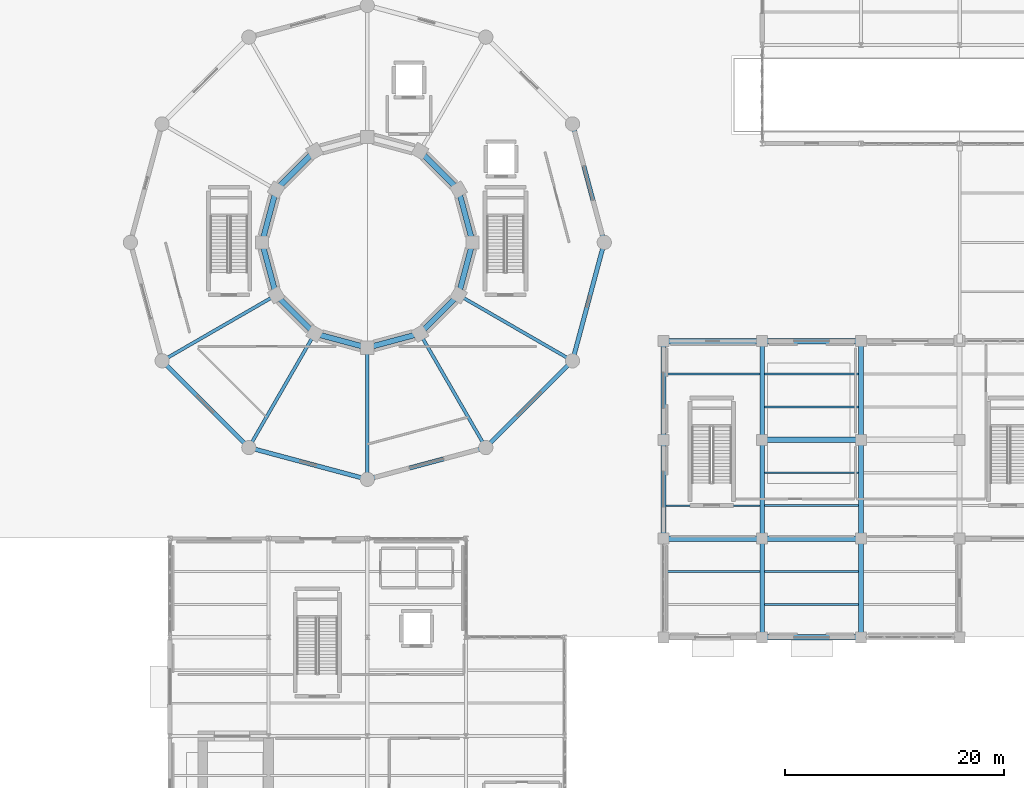
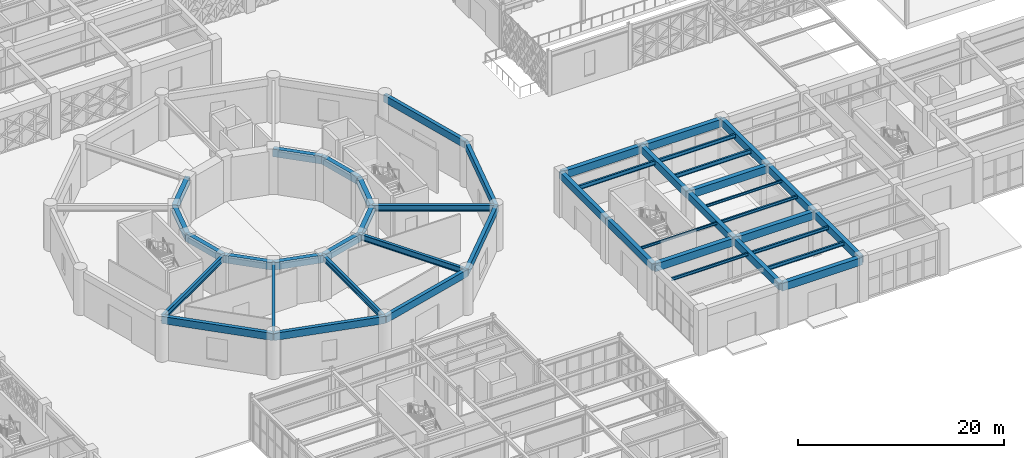
# One storey, part 36 of 140: 44 beams.
"""IFC4 building model written with IfcOpenShell, lengths in metres."""

from ifc_helpers import new_model, si_unit, direction, frame, origin, origin_2d, place, context, subcontext, project, spatial, rectangle, i_section, extrude, material, material_profile, profile_set, type_object, element, save


model = new_model("IFC4")

# Units and contexts
model_context = context("Model", 3, precision=1e-05, world=origin(), true_north=direction((0.0, 1.0)))
body_context = subcontext(model_context, "Body", "Model", "MODEL_VIEW")
ifc_project = project(units=[si_unit("LENGTHUNIT", "METRE"), si_unit("AREAUNIT", "SQUARE_METRE"), si_unit("VOLUMEUNIT", "CUBIC_METRE"), si_unit("PLANEANGLEUNIT", "RADIAN"), si_unit("MASSUNIT", "GRAM", prefix="KILO")], contexts=[model_context])

# Site, building, storey
site_placement = place(None, origin())
site = spatial("IfcSite", under=ifc_project, at=site_placement, CompositionType="ELEMENT")
building_placement = place(site_placement, origin())
building = spatial("IfcBuilding", under=site, at=building_placement, Name="Haizhuo Lancet Aquarium", CompositionType="ELEMENT")
storey_placement = place(building_placement, origin())
storey = spatial("IfcBuildingStorey", under=building, at=storey_placement, Name="L00", CompositionType="ELEMENT", Elevation=0.0)

# Beams
ifc_material_1 = material(Name="Concrete C40/50", Category="concrete")
ifc_material_profile_1 = material_profile(ifc_material_1, rectangle(XDim=0.449951171875, YDim=0.85009765625, at=origin_2d()), Name="RC-BM 450x850")
ifc_profile_set_1 = profile_set([ifc_material_profile_1], Name="Concrete C40/50")
beam_type_1 = type_object("IfcBeamType", Name="BM-RC-450x850", PredefinedType="BEAM", material=ifc_profile_set_1)
for number, where, z_axis, x_axis, name in (
    (1, (27.0, -27.0, 4.695068359375), (0.0, 1.0, 0.0), (-1.0, 0.0, 0.0), "L00 V3 primary girder BM-L00-V3-003"),
    (2, (27.0, -18.0, 4.695068359375), (0.0, 1.0, 0.0), (-1.0, 0.0, 0.0), "L00 V3 primary girder BM-L00-V3-005"),
    (3, (36.0, -36.0, 4.695068359375), (0.0, 1.0, 0.0), (-1.0, 0.0, 0.0), "L00 V3 primary girder BM-L00-V3-007"),
    (4, (36.0, -27.0, 4.695068359375), (0.0, 1.0, 0.0), (-1.0, 0.0, 0.0), "L00 V3 primary girder BM-L00-V3-009"),
    (5, (36.0, -18.0, 4.695068359375), (0.0, 1.0, 0.0), (-1.0, 0.0, 0.0), "L00 V3 primary girder BM-L00-V3-011"),
    (6, (45.0, -36.0, 4.695068359375), (0.0, 1.0, 0.0), (-1.0, 0.0, 0.0), "L00 V3 primary girder BM-L00-V3-014"),
    (7, (45.0, -27.0, 4.695068359375), (0.0, 1.0, 0.0), (-1.0, 0.0, 0.0), "L00 V3 primary girder BM-L00-V3-016"),
    (8, (45.0, -18.0, 4.695068359375), (0.0, 1.0, 0.0), (-1.0, 0.0, 0.0), "L00 V3 primary girder BM-L00-V3-018"),
):
    element("IfcBeam", number, at=place(storey_placement, frame(where, z_axis=z_axis, x_axis=x_axis)), inside=storey, type_object=beam_type_1, Name=name, PredefinedType="BEAM", context=body_context, shape_type="SweptSolid", body=[
        extrude(rectangle(XDim=0.449951171875, YDim=0.85009765625, at=origin_2d()), origin(), (0.0, 0.0, 1.0), 9.0),
    ])
ifc_material_profile_2 = material_profile(ifc_material_1, rectangle(XDim=0.5, YDim=0.89990234375, at=origin_2d()), Name="RC-BM 500x900")
ifc_profile_set_2 = profile_set([ifc_material_profile_2], Name="Concrete C40/50")
beam_type_2 = type_object("IfcBeamType", Name="BM-RC-500x900", PredefinedType="BEAM", material=ifc_profile_set_2)
for number, where, z_axis, x_axis, name in (
    (9, (9.60009765625, 0.0, 4.669921875), (-0.258812211902, 0.965927657214, 0.0), (-0.965927657214, -0.258812211902, 0.0), "L00 tank ring beam 1"),
    (10, (8.31396484375, 4.800048828125, 4.669921875), (-0.707106781187, 0.707106781187, 0.0), (-0.707106781187, -0.707106781187, 0.0), "L00 tank ring beam 2"),
    (11, (-4.800048828125, 8.31396484375, 4.669921875), (-0.707106781187, -0.707106781187, 0.0), (0.707106781187, -0.707106781187, 0.0), "L00 tank ring beam 5"),
    (12, (-8.31396484375, 4.800048828125, 4.669921875), (-0.258812211902, -0.965927657214, 0.0), (0.965927657214, -0.258812211902, 0.0), "L00 tank ring beam 6"),
    (13, (-9.60009765625, 0.0, 4.669921875), (0.258812211902, -0.965927657214, 0.0), (0.965927657214, 0.258812211902, 0.0), "L00 tank ring beam 7"),
    (14, (-8.31396484375, -4.800048828125, 4.669921875), (0.707106781187, -0.707106781187, 0.0), (0.707106781187, 0.707106781187, 0.0), "L00 tank ring beam 8"),
    (15, (-4.800048828125, -8.31396484375, 4.669921875), (0.965927657214, -0.258812211902, 0.0), (0.258812211902, 0.965927657214, 0.0), "L00 tank ring beam 9"),
    (16, (0.0, -9.60009765625, 4.669921875), (0.965927657214, 0.258812211902, 0.0), (-0.258812211902, 0.965927657214, 0.0), "L00 tank ring beam 10"),
    (17, (4.800048828125, -8.31396484375, 4.669921875), (0.707106781187, 0.707106781187, 0.0), (-0.707106781187, 0.707106781187, 0.0), "L00 tank ring beam 11"),
    (18, (8.31396484375, -4.800048828125, 4.669921875), (0.258812211902, 0.965927657214, 0.0), (-0.965927657214, 0.258812211902, 0.0), "L00 tank ring beam 12"),
):
    element("IfcBeam", number, at=place(storey_placement, frame(where, z_axis=z_axis, x_axis=x_axis)), inside=storey, type_object=beam_type_2, Name=name, PredefinedType="BEAM", context=body_context, shape_type="SweptSolid", body=[
        extrude(rectangle(XDim=0.5, YDim=0.89990234375, at=origin_2d()), origin(), (0.0, 0.0, 1.0), 4.969482421875),
    ])
for number, where, z_axis, x_axis, name in (
    (19, (27.0, -27.0, 4.669921875), (1.0, 0.0, 0.0), (0.0, 1.0, 0.0), "L00 V3 primary girder BM-L00-V3-004"),
    (20, (27.0, -9.0, 4.669921875), (1.0, 0.0, 0.0), (0.0, 1.0, 0.0), "L00 V3 primary girder BM-L00-V3-006"),
    (21, (36.0, -36.0, 4.669921875), (1.0, 0.0, 0.0), (0.0, 1.0, 0.0), "L00 V3 primary girder BM-L00-V3-008"),
    (22, (36.0, -27.0, 4.669921875), (1.0, 0.0, 0.0), (0.0, 1.0, 0.0), "L00 V3 primary girder BM-L00-V3-010"),
    (23, (36.0, -18.0, 4.669921875), (1.0, 0.0, 0.0), (0.0, 1.0, 0.0), "L00 V3 primary girder BM-L00-V3-012"),
    (24, (36.0, -9.0, 4.669921875), (1.0, 0.0, 0.0), (0.0, 1.0, 0.0), "L00 V3 primary girder BM-L00-V3-013"),
):
    element("IfcBeam", number, at=place(storey_placement, frame(where, z_axis=z_axis, x_axis=x_axis)), inside=storey, type_object=beam_type_2, Name=name, PredefinedType="BEAM", context=body_context, shape_type="SweptSolid", body=[
        extrude(rectangle(XDim=0.5, YDim=0.89990234375, at=origin_2d()), origin(), (0.0, 0.0, 1.0), 9.0),
    ])
ifc_material_2 = material(Name="Steel S355", Category="steel")
ifc_material_profile_3 = material_profile(ifc_material_2, i_section(OverallWidth=0.300048828125, OverallDepth=0.699951171875, WebThickness=0.012939453125, FlangeThickness=0.02392578125, FilletRadius=0.02587890625, at=origin_2d()), Name="HN 700x300x13x24")
ifc_profile_set_3 = profile_set([ifc_material_profile_3], Name="Steel S355")
beam_type_3 = type_object("IfcBeamType", Name="BM-ST-HN700", PredefinedType="BEAM", material=ifc_profile_set_3)
for number, where, z_axis, x_axis, name in (
    (25, (-8.31396484375, -4.800048828125, 4.77001953125), (-0.866020924479, -0.500007758305, 0.0), (0.500007758305, -0.866020924479, 0.0), "L00 radial gallery girder 8"),
    (26, (-4.800048828125, -8.31396484375, 4.77001953125), (-0.500007758305, -0.866020924479, 0.0), (0.866020924479, -0.500007758305, 0.0), "L00 radial gallery girder 9"),
):
    element("IfcBeam", number, at=place(storey_placement, frame(where, z_axis=z_axis, x_axis=x_axis)), inside=storey, type_object=beam_type_3, Name=name, PredefinedType="BEAM", context=body_context, shape_type="SweptSolid", body=[
        extrude(i_section(OverallWidth=0.300048828125, OverallDepth=0.699951171875, WebThickness=0.012939453125, FlangeThickness=0.02392578125, FilletRadius=0.02587890625, at=origin_2d()), origin(), (0.0, 0.0, 1.0), 11.999755859375),
    ])
beam_1_placement = place(storey_placement, frame((0.0, -9.60009765625, 4.77001953125), z_axis=(0.0, -1.0, 0.0), x_axis=(1.0, 0.0, 0.0)))
element("IfcBeam", 27, at=beam_1_placement, inside=storey, type_object=beam_type_3, Name="L00 radial gallery girder 10", PredefinedType="BEAM", context=body_context, shape_type="SweptSolid", body=[
    extrude(i_section(OverallWidth=0.300048828125, OverallDepth=0.699951171875, WebThickness=0.012939453125, FlangeThickness=0.02392578125, FilletRadius=0.02587890625, at=origin_2d()), origin(), (0.0, 0.0, 1.0), 12.0),
])
for number, where, z_axis, x_axis, name in (
    (28, (4.800048828125, -8.31396484375, 4.77001953125), (0.500007758305, -0.866020924479, 0.0), (0.866020924479, 0.500007758305, 0.0), "L00 radial gallery girder 11"),
    (29, (8.31396484375, -4.800048828125, 4.77001953125), (0.866020924479, -0.500007758305, 0.0), (0.500007758305, 0.866020924479, 0.0), "L00 radial gallery girder 12"),
):
    element("IfcBeam", number, at=place(storey_placement, frame(where, z_axis=z_axis, x_axis=x_axis)), inside=storey, type_object=beam_type_3, Name=name, PredefinedType="BEAM", context=body_context, shape_type="SweptSolid", body=[
        extrude(i_section(OverallWidth=0.300048828125, OverallDepth=0.699951171875, WebThickness=0.012939453125, FlangeThickness=0.02392578125, FilletRadius=0.02587890625, at=origin_2d()), origin(), (0.0, 0.0, 1.0), 11.999755859375),
    ])
ifc_material_profile_4 = material_profile(ifc_material_2, i_section(OverallWidth=0.14990234375, OverallDepth=0.300048828125, WebThickness=0.006591796875, FlangeThickness=0.009033203125, FilletRadius=0.012939453125, at=origin_2d()), Name="HN 300x150x6.5x9")
ifc_profile_set_4 = profile_set([ifc_material_profile_4], Name="Steel S355")
beam_type_4 = type_object("IfcBeamType", Name="JST-ST-HN300", PredefinedType="JOIST", material=ifc_profile_set_4)
for number, where, z_axis, x_axis, name in (
    (30, (27.22509765625, -24.0, 4.969970703125), (1.0, 0.0, 0.0), (0.0, 1.0, 0.0), "L00 V3 secondary floor joist 3"),
    (31, (36.22509765625, -21.0, 4.969970703125), (1.0, 0.0, 0.0), (0.0, 1.0, 0.0), "L00 V3 secondary floor joist 8"),
):
    element("IfcBeam", number, at=place(storey_placement, frame(where, z_axis=z_axis, x_axis=x_axis)), inside=storey, type_object=beam_type_4, Name=name, PredefinedType="JOIST", context=body_context, shape_type="SweptSolid", body=[
        extrude(i_section(OverallWidth=0.14990234375, OverallDepth=0.300048828125, WebThickness=0.006591796875, FlangeThickness=0.009033203125, FilletRadius=0.012939453125, at=origin_2d()), origin(), (0.0, 0.0, 1.0), 8.5498046875),
    ])
ifc_material_profile_5 = material_profile(ifc_material_2, i_section(OverallWidth=0.175048828125, OverallDepth=0.35009765625, WebThickness=0.007080078125, FlangeThickness=0.010986328125, FilletRadius=0.013916015625, at=origin_2d()), Name="HN 350x175x7x11")
ifc_profile_set_5 = profile_set([ifc_material_profile_5], Name="Steel S355")
beam_type_5 = type_object("IfcBeamType", Name="JST-ST-HN350", PredefinedType="JOIST", material=ifc_profile_set_5)
for number, where, z_axis, x_axis, name in (
    (32, (27.22509765625, -30.0, 4.945068359375), (1.0, 0.0, 0.0), (0.0, 1.0, 0.0), "L00 V3 secondary floor joist 2"),
    (33, (36.22509765625, -24.0, 4.945068359375), (1.0, 0.0, 0.0), (0.0, 1.0, 0.0), "L00 V3 secondary floor joist 7"),
):
    element("IfcBeam", number, at=place(storey_placement, frame(where, z_axis=z_axis, x_axis=x_axis)), inside=storey, type_object=beam_type_5, Name=name, PredefinedType="JOIST", context=body_context, shape_type="SweptSolid", body=[
        extrude(i_section(OverallWidth=0.175048828125, OverallDepth=0.35009765625, WebThickness=0.007080078125, FlangeThickness=0.010986328125, FilletRadius=0.013916015625, at=origin_2d()), origin(), (0.0, 0.0, 1.0), 8.5498046875),
    ])
ifc_material_profile_6 = material_profile(ifc_material_2, i_section(OverallWidth=0.199951171875, OverallDepth=0.39990234375, WebThickness=0.008056640625, FlangeThickness=0.012939453125, FilletRadius=0.01611328125, at=origin_2d()), Name="HN 400x200x8x13")
ifc_profile_set_6 = profile_set([ifc_material_profile_6], Name="Steel S355")
beam_type_6 = type_object("IfcBeamType", Name="JST-ST-HN400", PredefinedType="JOIST", material=ifc_profile_set_6)
beam_2_placement = place(storey_placement, frame((36.22509765625, -30.0, 4.919921875), z_axis=(1.0, 0.0, 0.0), x_axis=(0.0, 1.0, 0.0)))
element("IfcBeam", 34, at=beam_2_placement, inside=storey, type_object=beam_type_6, Name="L00 V3 secondary floor joist 6", PredefinedType="JOIST", context=body_context, shape_type="SweptSolid", body=[
    extrude(i_section(OverallWidth=0.199951171875, OverallDepth=0.39990234375, WebThickness=0.008056640625, FlangeThickness=0.012939453125, FilletRadius=0.01611328125, at=origin_2d()), origin(), (0.0, 0.0, 1.0), 8.5498046875),
])
ifc_material_profile_7 = material_profile(ifc_material_2, i_section(OverallWidth=0.199951171875, OverallDepth=0.449951171875, WebThickness=0.009033203125, FlangeThickness=0.013916015625, FilletRadius=0.01806640625, at=origin_2d()), Name="HN 450x200x9x14")
ifc_profile_set_7 = profile_set([ifc_material_profile_7], Name="Steel S355")
beam_type_7 = type_object("IfcBeamType", Name="JST-ST-HN450", PredefinedType="JOIST", material=ifc_profile_set_7)
for number, where, z_axis, x_axis, name in (
    (35, (36.22509765625, -33.0, 4.89501953125), (1.0, 0.0, 0.0), (0.0, 1.0, 0.0), "L00 V3 secondary floor joist 5"),
    (36, (36.22509765625, -12.0, 4.89501953125), (1.0, 0.0, 0.0), (0.0, 1.0, 0.0), "L00 V3 secondary floor joist 10"),
):
    element("IfcBeam", number, at=place(storey_placement, frame(where, z_axis=z_axis, x_axis=x_axis)), inside=storey, type_object=beam_type_7, Name=name, PredefinedType="JOIST", context=body_context, shape_type="SweptSolid", body=[
        extrude(i_section(OverallWidth=0.199951171875, OverallDepth=0.449951171875, WebThickness=0.009033203125, FlangeThickness=0.013916015625, FilletRadius=0.01806640625, at=origin_2d()), origin(), (0.0, 0.0, 1.0), 8.5498046875),
    ])
ifc_material_profile_8 = material_profile(ifc_material_2, i_section(OverallWidth=0.199951171875, OverallDepth=0.5, WebThickness=0.010009765625, FlangeThickness=0.01611328125, FilletRadius=0.02001953125, at=origin_2d()), Name="HN 500x200x10x16")
ifc_profile_set_8 = profile_set([ifc_material_profile_8], Name="Steel S355")
beam_type_8 = type_object("IfcBeamType", Name="JST-ST-HN500", PredefinedType="JOIST", material=ifc_profile_set_8)
for number, where, z_axis, x_axis, name in (
    (37, (27.22509765625, -12.0, 4.8701171875), (1.0, 0.0, 0.0), (0.0, 1.0, 0.0), "L00 V3 secondary floor joist 4"),
    (38, (36.22509765625, -15.0, 4.8701171875), (1.0, 0.0, 0.0), (0.0, 1.0, 0.0), "L00 V3 secondary floor joist 9"),
):
    element("IfcBeam", number, at=place(storey_placement, frame(where, z_axis=z_axis, x_axis=x_axis)), inside=storey, type_object=beam_type_8, Name=name, PredefinedType="JOIST", context=body_context, shape_type="SweptSolid", body=[
        extrude(i_section(OverallWidth=0.199951171875, OverallDepth=0.5, WebThickness=0.010009765625, FlangeThickness=0.01611328125, FilletRadius=0.02001953125, at=origin_2d()), origin(), (0.0, 0.0, 1.0), 8.5498046875),
    ])
ifc_material_profile_9 = material_profile(ifc_material_1, rectangle(XDim=0.39990234375, YDim=0.85009765625, at=origin_2d()), Name="RC-SP 400x850")
ifc_profile_set_9 = profile_set([ifc_material_profile_9], Name="Concrete C40/50")
beam_type_9 = type_object("IfcBeamType", Name="SPN-RC-400x850", PredefinedType="SPANDREL", material=ifc_profile_set_9)
beam_3_placement = place(storey_placement, frame((21.60009765625, 0.0, 4.695068359375), z_axis=(-0.258833949056, 0.965921832664, 0.0), x_axis=(-0.965921832664, -0.258833949056, 0.0)))
element("IfcBeam", 39, at=beam_3_placement, inside=storey, type_object=beam_type_9, Name="L00 drum perimeter spandrel 1", PredefinedType="SPANDREL", context=body_context, shape_type="SweptSolid", body=[
    extrude(rectangle(XDim=0.39990234375, YDim=0.85009765625, at=origin_2d()), origin(), (0.0, 0.0, 1.0), 11.18115234375),
])
beam_4_placement = place(storey_placement, frame((-18.7060546875, -10.800048828125, 4.695068359375), z_axis=(0.707106781187, -0.707106781187, 0.0), x_axis=(0.707106781187, 0.707106781187, 0.0)))
element("IfcBeam", 40, at=beam_4_placement, inside=storey, type_object=beam_type_9, Name="L00 drum perimeter spandrel 8", PredefinedType="SPANDREL", context=body_context, shape_type="SweptSolid", body=[
    extrude(rectangle(XDim=0.39990234375, YDim=0.85009765625, at=origin_2d()), origin(), (0.0, 0.0, 1.0), 11.1806640625),
])
for number, where, z_axis, x_axis, name in (
    (41, (-10.800048828125, -18.7060546875, 4.695068359375), (0.965921832664, -0.258833949056, 0.0), (0.258833949056, 0.965921832664, 0.0), "L00 drum perimeter spandrel 9"),
    (42, (0.0, -21.60009765625, 4.695068359375), (0.965921832664, 0.258833949056, 0.0), (-0.258833949056, 0.965921832664, 0.0), "L00 drum perimeter spandrel 10"),
):
    element("IfcBeam", number, at=place(storey_placement, frame(where, z_axis=z_axis, x_axis=x_axis)), inside=storey, type_object=beam_type_9, Name=name, PredefinedType="SPANDREL", context=body_context, shape_type="SweptSolid", body=[
        extrude(rectangle(XDim=0.39990234375, YDim=0.85009765625, at=origin_2d()), origin(), (0.0, 0.0, 1.0), 11.18115234375),
    ])
beam_5_placement = place(storey_placement, frame((10.800048828125, -18.7060546875, 4.695068359375), z_axis=(0.707106781187, 0.707106781187, 0.0), x_axis=(-0.707106781187, 0.707106781187, 0.0)))
element("IfcBeam", 43, at=beam_5_placement, inside=storey, type_object=beam_type_9, Name="L00 drum perimeter spandrel 11", PredefinedType="SPANDREL", context=body_context, shape_type="SweptSolid", body=[
    extrude(rectangle(XDim=0.39990234375, YDim=0.85009765625, at=origin_2d()), origin(), (0.0, 0.0, 1.0), 11.1806640625),
])
beam_6_placement = place(storey_placement, frame((18.7060546875, -10.800048828125, 4.695068359375), z_axis=(0.258833949056, 0.965921832664, 0.0), x_axis=(-0.965921832664, 0.258833949056, 0.0)))
element("IfcBeam", 44, at=beam_6_placement, inside=storey, type_object=beam_type_9, Name="L00 drum perimeter spandrel 12", PredefinedType="SPANDREL", context=body_context, shape_type="SweptSolid", body=[
    extrude(rectangle(XDim=0.39990234375, YDim=0.85009765625, at=origin_2d()), origin(), (0.0, 0.0, 1.0), 11.18115234375),
])

save(model, "model.ifc")
